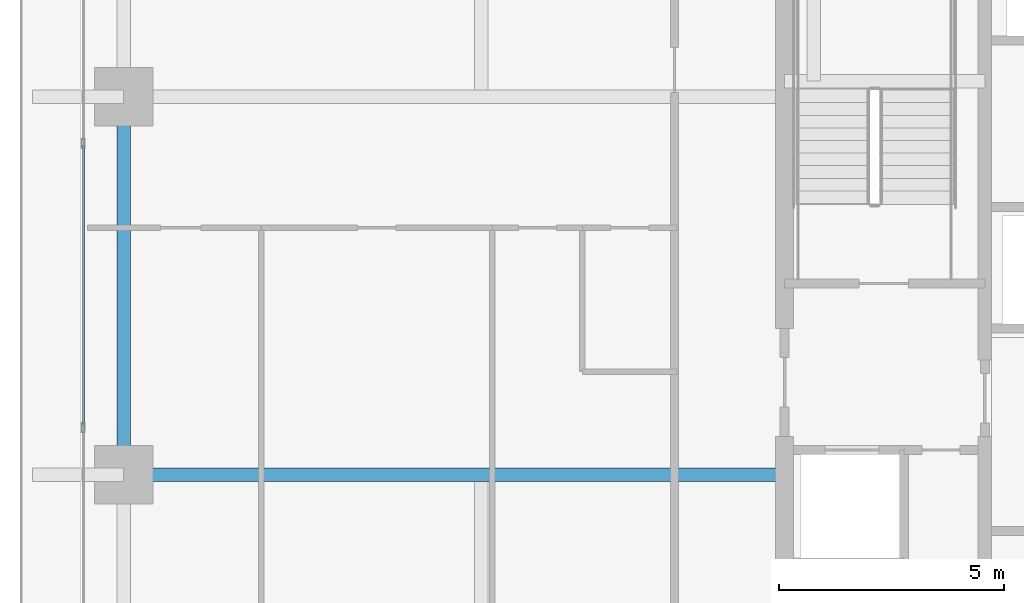
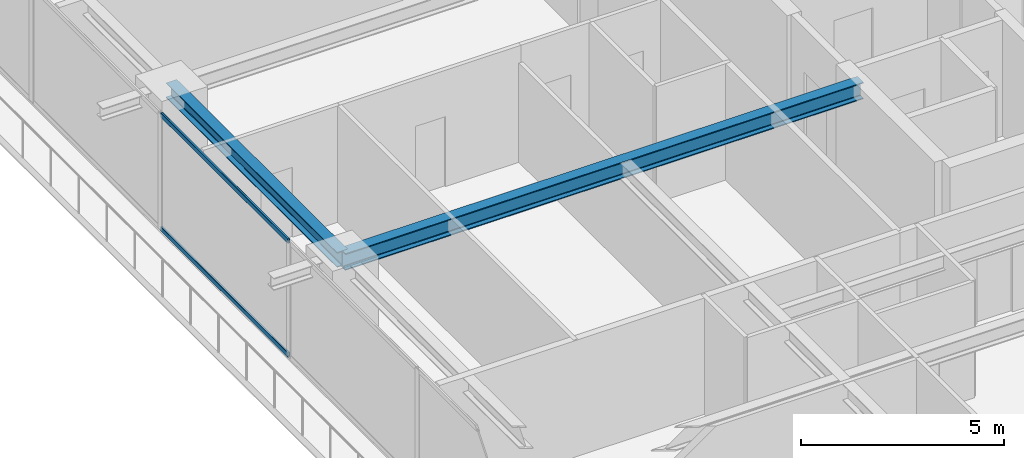
# One storey, part 8 of 37: 2 beams, 2 members, 1 element without a shape of its own.
"""IFC4 building model written with IfcOpenShell, lengths in metres."""

from ifc_helpers import new_model, si_unit, direction, frame, origin, origin_2d, place, context, subcontext, project, spatial, hollow_rectangle, i_section, extrude, source, transform, mapped, material, layer, layer_set, material_profile, profile_set, type_object, element, aggregate, save


model = new_model("IFC4")

# Units and contexts
model_context = context("Model", 3, precision=1e-05, world=origin(), true_north=direction((0.0, 1.0)))
body_context = subcontext(model_context, "Body", "Model", "MODEL_VIEW")
ifc_project = project(units=[si_unit("LENGTHUNIT", "METRE"), si_unit("AREAUNIT", "SQUARE_METRE"), si_unit("VOLUMEUNIT", "CUBIC_METRE"), si_unit("PLANEANGLEUNIT", "RADIAN"), si_unit("MASSUNIT", "GRAM", prefix="KILO")], contexts=[model_context])

# Site, building, storey
site_placement = place(None, origin())
site = spatial("IfcSite", under=ifc_project, at=site_placement, CompositionType="ELEMENT")
building_placement = place(site_placement, origin())
building = spatial("IfcBuilding", under=site, at=building_placement, Name="Serunith Strait Residences", CompositionType="ELEMENT")
storey_placement = place(building_placement, frame((0.0, 0.0, 161.39990234375)))
storey = spatial("IfcBuildingStorey", under=building, at=storey_placement, Name="L40", CompositionType="ELEMENT", Elevation=161.39990234375)

# Beams
ifc_material_1 = material(Name="Steel S355J2", Category="steel")
ifc_material_profile_1 = material_profile(ifc_material_1, i_section(OverallWidth=0.300048828125, OverallDepth=0.449951171875, WebThickness=0.013916015625, FlangeThickness=0.02587890625, FilletRadius=0.027099609375, at=origin_2d()), Name="HEB 450")
ifc_profile_set_1 = profile_set([ifc_material_profile_1], Name="Steel S355J2")
beam_type_1 = type_object("IfcBeamType", Name="BM-HEB450", PredefinedType="BEAM", material=ifc_profile_set_1)
shared_shape_1 = source(origin(), body_context, "Body", "SweptSolid", [
    extrude(i_section(OverallWidth=0.300048828125, OverallDepth=0.449951171875, WebThickness=0.013916015625, FlangeThickness=0.02587890625, FilletRadius=0.027099609375, at=origin_2d()), origin(), (0.0, 0.0, 1.0), 8.39990234375),
])
beam_1_placement = place(storey_placement, frame((8.699951171875, 29.39990234375, 3.26220703125), z_axis=(0.0, -1.0, 0.0), x_axis=(1.0, 0.0, 0.0)))
element("IfcBeam", 1, at=beam_1_placement, inside=storey, type_object=beam_type_1, Name="L40 Perimeter Ring Beam 14", PredefinedType="BEAM", context=body_context, shape_type="MappedRepresentation", body=[
    mapped(shared_shape_1, transform((0.0, 0.0, 0.0), scale=1.0)),
])
ifc_material_profile_2 = material_profile(ifc_material_1, i_section(OverallWidth=0.300048828125, OverallDepth=0.5, WebThickness=0.014404296875, FlangeThickness=0.028076171875, FilletRadius=0.027099609375, at=origin_2d()), Name="HEB 500")
ifc_profile_set_2 = profile_set([ifc_material_profile_2], Name="Steel S355J2")
beam_type_2 = type_object("IfcBeamType", Name="BM-HEB500", PredefinedType="BEAM", material=ifc_profile_set_2)
shared_shape_2 = source(origin(), body_context, "Body", "SweptSolid", [
    extrude(i_section(OverallWidth=0.300048828125, OverallDepth=0.5, WebThickness=0.014404296875, FlangeThickness=0.028076171875, FilletRadius=0.027099609375, at=origin_2d()), origin(), (0.0, 0.0, 1.0), 14.699951171875),
])
beam_2_placement = place(storey_placement, frame((23.39990234375, 21.0, 3.237060546875), z_axis=(-1.0, 0.0, 0.0), x_axis=(0.0, -1.0, 0.0)))
element("IfcBeam", 2, at=beam_2_placement, inside=storey, type_object=beam_type_2, Name="L40 Primary Floor Girder TC-W2", PredefinedType="BEAM", context=body_context, shape_type="MappedRepresentation", body=[
    mapped(shared_shape_2, transform((0.0, 0.0, 0.0), scale=1.0)),
])

# Curtain wall, members
ifc_material_2 = material(Name="Pale-Champagne Anodised Aluminium", Category="aluminium")
ifc_layer = layer(ifc_material_2, 0.199951171875, Name="Pale-Champagne Anodised Aluminium")
ifc_layer_set = layer_set([ifc_layer], Name="Pale-Champagne Anodised Aluminium")
curtain_wall_type = type_object("IfcCurtainWallType", Name="CW-SYS2", PredefinedType="NOTDEFINED", material=ifc_layer_set)
curtain_wall_placement = place(storey_placement, origin())
curtain_wall = element("IfcCurtainWall", 3, at=curtain_wall_placement, inside=storey, type_object=curtain_wall_type, Name="L40 W Unitised Fritted Curtain Wall", PredefinedType="NOTDEFINED")
ifc_material_profile_3 = material_profile(ifc_material_2, hollow_rectangle(XDim=0.06005859375, YDim=0.139892578125, WallThickness=0.00341796875, InnerFilletRadius=0.00537109375, OuterFilletRadius=0.0087890625, at=origin_2d()), Name="ALU 140x60x3.5")
ifc_profile_set_3 = profile_set([ifc_material_profile_3], Name="Pale-Champagne Anodised Aluminium")
member_type = type_object("IfcMemberType", Name="CW-SYS2-TRAN", PredefinedType="USERDEFINED", material=ifc_profile_set_3)
shared_shape_3 = source(origin(), body_context, "Body", "SweptSolid", [
    extrude(hollow_rectangle(XDim=0.06005859375, YDim=0.139892578125, WallThickness=0.00341796875, InnerFilletRadius=0.00537109375, OuterFilletRadius=0.0087890625, at=origin_2d()), origin(), (0.0, 0.0, 1.0), 6.25),
])
member_1_placement = place(storey_placement, frame((7.800048828125, 28.324951171875, 0.030029296875), z_axis=(0.0, -1.0, 0.0), x_axis=(1.0, 0.0, 0.0)))
member_1 = element("IfcMember", 4, at=member_1_placement, type_object=member_type, Name="CW-2 transom 3.1", ObjectType="TRANSOM", PredefinedType="USERDEFINED", context=body_context, shape_type="MappedRepresentation", body=[
    mapped(shared_shape_3, transform((0.0, 0.0, 0.0), scale=1.0)),
])
member_2_placement = place(storey_placement, frame((7.800048828125, 28.324951171875, 3.445068359375), z_axis=(0.0, -1.0, 0.0), x_axis=(1.0, 0.0, 0.0)))
member_2 = element("IfcMember", 5, at=member_2_placement, type_object=member_type, Name="CW-2 transom 3.2", ObjectType="TRANSOM", PredefinedType="USERDEFINED", context=body_context, shape_type="MappedRepresentation", body=[
    mapped(shared_shape_3, transform((0.0, 0.0, 0.0), scale=1.0)),
])
aggregate(curtain_wall, [member_1, member_2])

save(model, "model.ifc")
